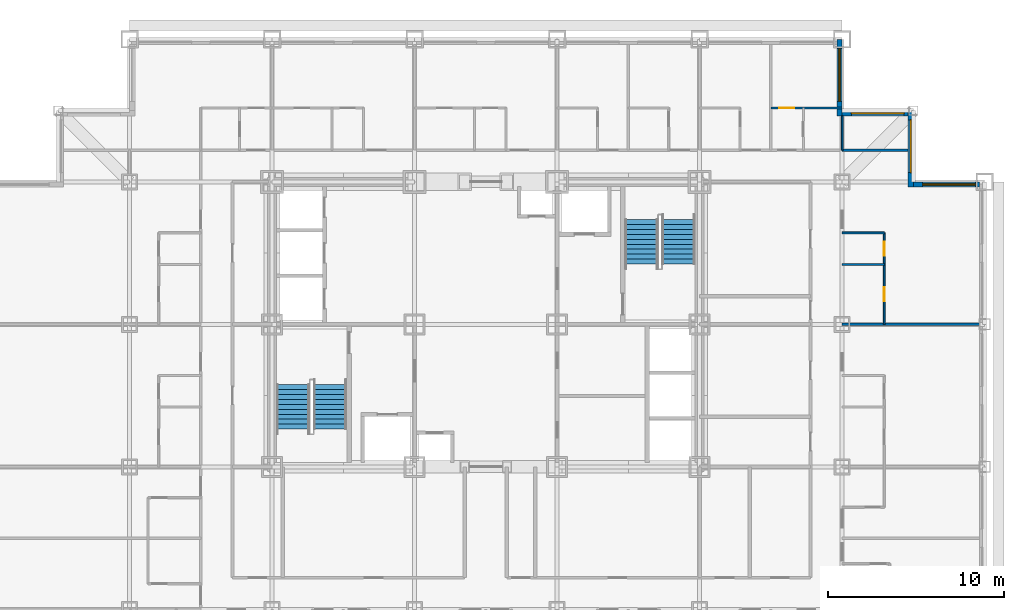
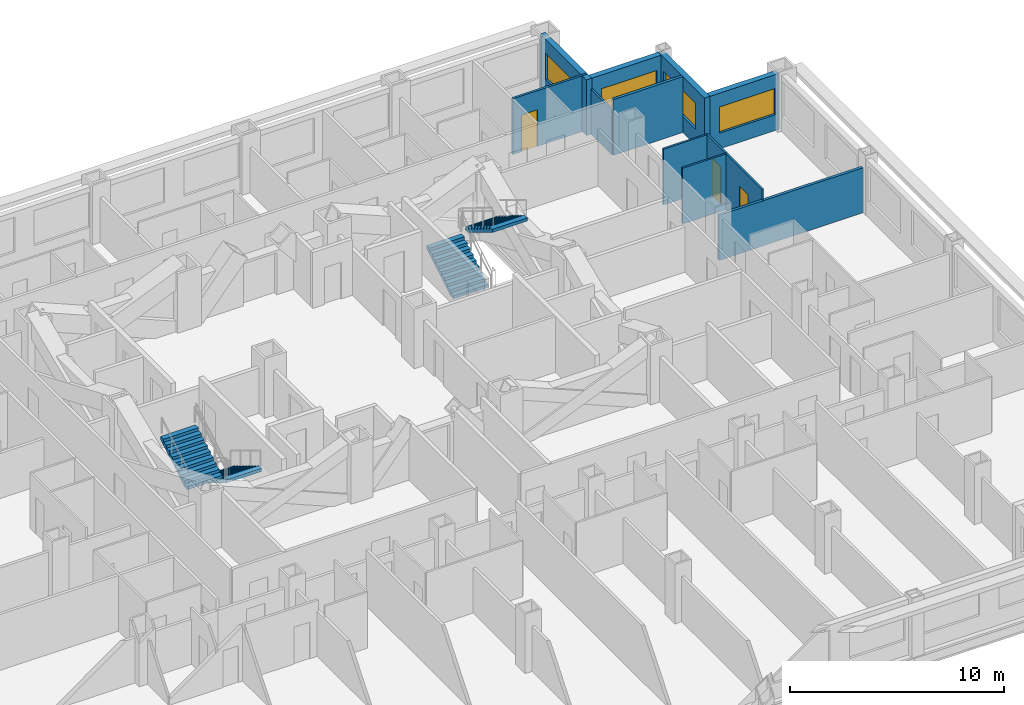
# One storey, part 10 of 11: 11 walls, 4 stair flights, 4 windows, 3 doors, 7 openings, 2 elements without a shape of their own.
"""IFC4 building model written with IfcOpenShell, lengths in metres."""

from ifc_helpers import new_model, si_unit, direction, frame, frame_2d, origin, place, context, subcontext, project, spatial, rectangle, extrude, polygons, source, transform, mapped, material, layer, layer_set, type_object, element, fill, aggregate, save


model = new_model("IFC4")

# Units and contexts
model_context = context("Model", 3, precision=1e-05, world=origin(), true_north=direction((0.0, 1.0)))
body_context = subcontext(model_context, "Body", "Model", "MODEL_VIEW")
ifc_project = project(units=[si_unit("LENGTHUNIT", "METRE"), si_unit("AREAUNIT", "SQUARE_METRE"), si_unit("VOLUMEUNIT", "CUBIC_METRE"), si_unit("PLANEANGLEUNIT", "RADIAN"), si_unit("MASSUNIT", "GRAM", prefix="KILO")], contexts=[model_context])

# Site, building, storey
site_placement = place(None, origin())
site = spatial("IfcSite", under=ifc_project, at=site_placement, CompositionType="ELEMENT")
building_placement = place(site_placement, origin())
building = spatial("IfcBuilding", under=site, at=building_placement, Name="Kopane Lantern Tower", CompositionType="ELEMENT")
storey_placement = place(building_placement, frame((0.0, 0.0, 73.800048828125)))
storey = spatial("IfcBuildingStorey", under=building, at=storey_placement, Name="L18", CompositionType="ELEMENT", Elevation=73.800048828125)

# Wall, opening, door
ifc_material_1 = material(Name="Gypsum board on steel studs", Category="steel")
ifc_layer_1 = layer(ifc_material_1, 0.1201171875)
ifc_layer_set_1 = layer_set([ifc_layer_1], Name="APARTMENT INTERNAL WALL 120")
wall_type_1 = type_object("IfcWallType", Name="APARTMENT INTERNAL WALL 120", PredefinedType="PARTITIONING", material=ifc_layer_set_1)
wall_1_placement = place(storey_placement, frame((44.550048828125, 44.699951171875, 0.0), z_axis=(0.0, 0.0, 1.0), x_axis=(1.0, 0.0, 0.0)))
wall_1 = element("IfcWall", 1, at=wall_1_placement, inside=storey, type_object=wall_type_1, Name="Apartment Internal Wall 120 L18", PredefinedType="PARTITIONING", context=body_context, shape_type="SweptSolid", body=[
    extrude(rectangle(XDim=4.050048828125, YDim=0.1201171875, at=frame_2d((2.02490234375, 0.0))), origin(), (0.0, 0.0, 1.0), 3.18994140625),
])
opening_1_placement = place(wall_1_placement, frame((0.47509765625, 0.0, 0.0)))
opening_1 = element("IfcOpeningElement", 2, at=opening_1_placement, cuts=wall_1, Name="Opening L18-069", PredefinedType="OPENING", context=body_context, shape_type="SweptSolid", body=[
    extrude(rectangle(XDim=0.85009765625, YDim=2.10009765625, at=frame_2d((0.425048828125, 1.050048828125))), frame((0.0, 0.070068359375, 0.0), z_axis=(0.0, -1.0, 0.0), x_axis=(1.0, 0.0, 0.0)), (0.0, 0.0, 1.0), 0.14013671875),
])
ifc_material_2 = material(Name="Timber door set", Category="wood")
door_type_1 = type_object("IfcDoorType", Name="DOOR D4 850x2100", OperationType="SINGLE_SWING_LEFT", PredefinedType="DOOR", material=ifc_material_2)
door_1_placement = place(opening_1_placement, origin())
door_1 = element("IfcDoor", 3, at=door_1_placement, inside=storey, type_object=door_type_1, Name="Door L18-069", OperationType="SINGLE_SWING_LEFT", OverallHeight=2.10009765625, OverallWidth=0.85009765625, PredefinedType="DOOR", context=body_context, shape_type="SweptSolid", body=[
    extrude(rectangle(XDim=0.85009765625, YDim=2.10009765625, at=frame_2d((0.425048828125, 1.050048828125))), frame((0.0, 0.02490234375, 0.0), z_axis=(0.0, -1.0, 0.0), x_axis=(1.0, 0.0, 0.0)), (0.0, 0.0, 1.0), 0.050048828125),
])
fill(opening_1, door_1)

# Wall, openings, doors
ifc_material_3 = material(Name="Moisture-resistant board on steel studs", Category="steel")
ifc_layer_2 = layer(ifc_material_3, 0.10009765625)
ifc_layer_set_2 = layer_set([ifc_layer_2], Name="BATHROOM WALL 100")
wall_type_2 = type_object("IfcWallType", Name="BATHROOM WALL 100", PredefinedType="PARTITIONING", material=ifc_layer_set_2)
wall_2_placement = place(storey_placement, frame((51.0, 32.39990234375, 0.0), z_axis=(0.0, 0.0, 1.0), x_axis=(0.0, 1.0, 0.0)))
wall_2 = element("IfcWall", 4, at=wall_2_placement, inside=storey, type_object=wall_type_2, Name="Bathroom Wall 100 L18", PredefinedType="PARTITIONING", context=body_context, shape_type="SweptSolid", body=[
    extrude(rectangle(XDim=5.2001953125, YDim=0.10009765625, at=frame_2d((2.60009765625, 0.0))), origin(), (0.0, 0.0, 1.0), 3.18994140625),
])
opening_2_placement = place(wall_2_placement, frame((1.300048828125, 0.0, 0.0)))
opening_2 = element("IfcOpeningElement", 5, at=opening_2_placement, cuts=wall_2, Name="Opening L18-056", PredefinedType="OPENING", context=body_context, shape_type="SweptSolid", body=[
    extrude(rectangle(XDim=0.800048828125, YDim=2.10009765625, at=frame_2d((0.39990234375, 1.050048828125))), frame((0.0, 0.06005859375, 0.0), z_axis=(0.0, -1.0, 0.0), x_axis=(1.0, 0.0, 0.0)), (0.0, 0.0, 1.0), 0.1201171875),
])
opening_3_placement = place(wall_2_placement, frame((3.89990234375, 0.0, 0.0)))
opening_3 = element("IfcOpeningElement", 6, at=opening_3_placement, cuts=wall_2, Name="Opening L18-057", PredefinedType="OPENING", context=body_context, shape_type="SweptSolid", body=[
    extrude(rectangle(XDim=0.800048828125, YDim=2.10009765625, at=frame_2d((0.39990234375, 1.050048828125))), frame((0.0, 0.06005859375, 0.0), z_axis=(0.0, -1.0, 0.0), x_axis=(1.0, 0.0, 0.0)), (0.0, 0.0, 1.0), 0.1201171875),
])
ifc_material_4 = material(Name="Timber door set", Category="wood")
door_type_2 = type_object("IfcDoorType", Name="DOOR D2 800x2100", OperationType="SINGLE_SWING_LEFT", PredefinedType="DOOR", material=ifc_material_4)
door_2_placement = place(opening_2_placement, origin())
door_2 = element("IfcDoor", 7, at=door_2_placement, inside=storey, type_object=door_type_2, Name="Door L18-056", OperationType="SINGLE_SWING_RIGHT", OverallHeight=2.10009765625, OverallWidth=0.800048828125, PredefinedType="DOOR", context=body_context, shape_type="SweptSolid", body=[
    extrude(rectangle(XDim=0.800048828125, YDim=2.10009765625, at=frame_2d((0.39990234375, 1.050048828125))), frame((0.0, 0.02490234375, 0.0), z_axis=(0.0, -1.0, 0.0), x_axis=(1.0, 0.0, 0.0)), (0.0, 0.0, 1.0), 0.050048828125),
])
fill(opening_2, door_2)
door_3_placement = place(opening_3_placement, origin())
door_3 = element("IfcDoor", 8, at=door_3_placement, inside=storey, type_object=door_type_2, Name="Door L18-057", OperationType="SINGLE_SWING_RIGHT", OverallHeight=2.10009765625, OverallWidth=0.800048828125, PredefinedType="DOOR", context=body_context, shape_type="SweptSolid", body=[
    extrude(rectangle(XDim=0.800048828125, YDim=2.10009765625, at=frame_2d((0.39990234375, 1.050048828125))), frame((0.0, 0.02490234375, 0.0), z_axis=(0.0, -1.0, 0.0), x_axis=(1.0, 0.0, 0.0)), (0.0, 0.0, 1.0), 0.050048828125),
])
fill(opening_3, door_3)

# Walls
for number, where, z_axis, x_axis, name in (
    (9, (48.60009765625, 35.800048828125, 0.0), (0.0, 0.0, 1.0), (1.0, 0.0, 0.0), "Bathroom Wall 100 L18"),
    (10, (48.60009765625, 37.60009765625, 0.0), (0.0, 0.0, 1.0), (1.0, 0.0, 0.0), "Bathroom Wall 100 L18"),
):
    element("IfcWall", number, at=place(storey_placement, frame(where, z_axis=z_axis, x_axis=x_axis)), inside=storey, type_object=wall_type_2, Name=name, PredefinedType="PARTITIONING", context=body_context, shape_type="SweptSolid", body=[
        extrude(rectangle(XDim=2.39990234375, YDim=0.10009765625, at=frame_2d((1.199951171875, 0.0))), origin(), (0.0, 0.0, 1.0), 3.18994140625),
    ])
wall_3_placement = place(storey_placement, frame((48.60009765625, 42.300048828125, 0.0), z_axis=(0.0, 0.0, 1.0), x_axis=(0.0, 1.0, 0.0)))
element("IfcWall", 11, at=wall_3_placement, inside=storey, type_object=wall_type_2, Name="Bathroom Wall 100 L18", PredefinedType="PARTITIONING", context=body_context, shape_type="SweptSolid", body=[
    extrude(rectangle(XDim=1.949951171875, YDim=0.10009765625, at=frame_2d((0.97509765625, 0.0))), origin(), (0.0, 0.0, 1.0), 2.57763671875),
])
ifc_material_5 = material(Name="Gypsum board on steel studs", Category="steel")
ifc_layer_3 = layer(ifc_material_5, 0.14990234375)
ifc_layer_set_3 = layer_set([ifc_layer_3], Name="DEMISING WALL 150 EI 60")
wall_type_3 = type_object("IfcWallType", Name="DEMISING WALL 150 EI 60", PredefinedType="PARTITIONING", material=ifc_layer_set_3)
wall_4_placement = place(storey_placement, frame((48.60009765625, 32.39990234375, 0.0), z_axis=(0.0, 0.0, 1.0), x_axis=(1.0, 0.0, 0.0)))
element("IfcWall", 12, at=wall_4_placement, inside=storey, type_object=wall_type_3, Name="Demising Wall 150 Ei 60 L18", PredefinedType="PARTITIONING", context=body_context, shape_type="SweptSolid", body=[
    extrude(rectangle(XDim=7.7998046875, YDim=0.14990234375, at=frame_2d((3.89990234375, 0.0))), origin(), (0.0, 0.0, 1.0), 2.57763671875),
])
wall_5_placement = place(storey_placement, frame((48.60009765625, 42.300048828125, 0.0), z_axis=(0.0, 0.0, 1.0), x_axis=(1.0, 0.0, 0.0)))
element("IfcWall", 13, at=wall_5_placement, inside=storey, type_object=wall_type_3, Name="Demising Wall 150 Ei 60 L18", PredefinedType="PARTITIONING", context=body_context, shape_type="SweptSolid", body=[
    extrude(rectangle(XDim=3.75, YDim=0.14990234375, at=frame_2d((1.875, 0.0))), origin(), (0.0, 0.0, 1.0), 3.18994140625),
])

# Wall, opening, window
ifc_material_6 = material(Name="Terracotta rainscreen on light steel framing", Category="masonry")
ifc_layer_4 = layer(ifc_material_6, 0.300048828125)
ifc_layer_set_4 = layer_set([ifc_layer_4], Name="EXTERNAL WALL EW1 300 TERRACOTTA")
wall_type_4 = type_object("IfcWallType", Name="EXTERNAL WALL EW1 300 TERRACOTTA", PredefinedType="SOLIDWALL", material=ifc_layer_set_4)
wall_6_placement = place(storey_placement, frame((56.39990234375, 40.35009765625, 0.0), z_axis=(0.0, 0.0, 1.0), x_axis=(-1.0, 0.0, 0.0)))
wall_6 = element("IfcWall", 14, at=wall_6_placement, inside=storey, type_object=wall_type_4, Name="External wall N L18", PredefinedType="SOLIDWALL", context=body_context, shape_type="SweptSolid", body=[
    extrude(rectangle(XDim=3.75, YDim=0.300048828125, at=frame_2d((1.875, 0.0))), origin(), (0.0, 0.0, 1.0), 3.18994140625),
])
opening_4_placement = place(wall_6_placement, frame((0.22509765625, 0.0, 0.89990234375)))
opening_4 = element("IfcOpeningElement", 15, at=opening_4_placement, cuts=wall_6, Name="Opening WR300150", PredefinedType="OPENING", context=body_context, shape_type="SweptSolid", body=[
    extrude(rectangle(XDim=3.0, YDim=1.5, at=frame_2d((1.5, 0.75))), frame((0.0, 0.159912109375, 0.0), z_axis=(0.0, -1.0, 0.0), x_axis=(1.0, 0.0, 0.0)), (0.0, 0.0, 1.0), 0.320068359375),
])
ifc_material_7 = material(Name="Aluminium and clear glass", Category="aluminium")
window_type = type_object("IfcWindowType", Name="RIBBON WINDOW WR300150 3000x1500", PartitioningType="SINGLE_PANEL", PredefinedType="WINDOW", material=ifc_material_7)
window_1_placement = place(opening_4_placement, origin())
window_1 = element("IfcWindow", 16, at=window_1_placement, inside=storey, type_object=window_type, Name="Window N L18", OverallHeight=1.5, OverallWidth=3.0, PartitioningType="SINGLE_PANEL", PredefinedType="WINDOW", context=body_context, shape_type="SweptSolid", body=[
    extrude(rectangle(XDim=3.0, YDim=1.5, at=frame_2d((1.5, 0.75))), frame((0.0, 0.030029296875, 0.0), z_axis=(0.0, -1.0, 0.0), x_axis=(1.0, 0.0, 0.0)), (0.0, 0.0, 1.0), 0.06005859375),
])
fill(opening_4, window_1)

wall_7_placement = place(storey_placement, frame((52.5, 40.199951171875, 0.0), z_axis=(0.0, 0.0, 1.0), x_axis=(0.0, 1.0, 0.0)))
wall_7 = element("IfcWall", 17, at=wall_7_placement, inside=storey, type_object=wall_type_4, Name="External wall E L18", PredefinedType="SOLIDWALL", context=body_context, shape_type="SweptSolid", body=[
    extrude(rectangle(XDim=4.35009765625, YDim=0.300048828125, at=frame_2d((2.175048828125, 0.0))), origin(), (0.0, 0.0, 1.0), 3.18994140625),
])
opening_5_placement = place(wall_7_placement, frame((0.824951171875, 0.0, 0.89990234375)))
opening_5 = element("IfcOpeningElement", 18, at=opening_5_placement, cuts=wall_7, Name="Opening WR300150", PredefinedType="OPENING", context=body_context, shape_type="SweptSolid", body=[
    extrude(rectangle(XDim=3.0, YDim=1.5, at=frame_2d((1.5, 0.75))), frame((0.0, 0.159912109375, 0.0), z_axis=(0.0, -1.0, 0.0), x_axis=(1.0, 0.0, 0.0)), (0.0, 0.0, 1.0), 0.320068359375),
])
window_2_placement = place(opening_5_placement, origin())
window_2 = element("IfcWindow", 19, at=window_2_placement, inside=storey, type_object=window_type, Name="Window E L18", OverallHeight=1.5, OverallWidth=3.0, PartitioningType="SINGLE_PANEL", PredefinedType="WINDOW", context=body_context, shape_type="SweptSolid", body=[
    extrude(rectangle(XDim=3.0, YDim=1.5, at=frame_2d((1.5, 0.75))), frame((0.0, 0.030029296875, 0.0), z_axis=(0.0, -1.0, 0.0), x_axis=(1.0, 0.0, 0.0)), (0.0, 0.0, 1.0), 0.06005859375),
])
fill(opening_5, window_2)

wall_8_placement = place(storey_placement, frame((52.35009765625, 44.39990234375, 0.0), z_axis=(0.0, 0.0, 1.0), x_axis=(-1.0, 0.0, 0.0)))
wall_8 = element("IfcWall", 20, at=wall_8_placement, inside=storey, type_object=wall_type_4, Name="External wall N L18", PredefinedType="SOLIDWALL", context=body_context, shape_type="SweptSolid", body=[
    extrude(rectangle(XDim=3.75, YDim=0.300048828125, at=frame_2d((1.875, 0.0))), origin(), (0.0, 0.0, 1.0), 3.18994140625),
])
opening_6_placement = place(wall_8_placement, frame((0.22509765625, 0.0, 0.89990234375)))
opening_6 = element("IfcOpeningElement", 21, at=opening_6_placement, cuts=wall_8, Name="Opening WR300150", PredefinedType="OPENING", context=body_context, shape_type="SweptSolid", body=[
    extrude(rectangle(XDim=3.0, YDim=1.5, at=frame_2d((1.5, 0.75))), frame((0.0, 0.159912109375, 0.0), z_axis=(0.0, -1.0, 0.0), x_axis=(1.0, 0.0, 0.0)), (0.0, 0.0, 1.0), 0.320068359375),
])
window_3_placement = place(opening_6_placement, origin())
window_3 = element("IfcWindow", 22, at=window_3_placement, inside=storey, type_object=window_type, Name="Window N L18", OverallHeight=1.5, OverallWidth=3.0, PartitioningType="SINGLE_PANEL", PredefinedType="WINDOW", context=body_context, shape_type="SweptSolid", body=[
    extrude(rectangle(XDim=3.0, YDim=1.5, at=frame_2d((1.5, 0.75))), frame((0.0, 0.030029296875, 0.0), z_axis=(0.0, -1.0, 0.0), x_axis=(1.0, 0.0, 0.0)), (0.0, 0.0, 1.0), 0.06005859375),
])
fill(opening_6, window_3)

wall_9_placement = place(storey_placement, frame((48.449951171875, 44.25, 0.0), z_axis=(0.0, 0.0, 1.0), x_axis=(0.0, 1.0, 0.0)))
wall_9 = element("IfcWall", 23, at=wall_9_placement, inside=storey, type_object=wall_type_4, Name="External wall E L18", PredefinedType="SOLIDWALL", context=body_context, shape_type="SweptSolid", body=[
    extrude(rectangle(XDim=4.35009765625, YDim=0.300048828125, at=frame_2d((2.175048828125, 0.0))), origin(), (0.0, 0.0, 1.0), 3.18994140625),
])
opening_7_placement = place(wall_9_placement, frame((0.824951171875, 0.0, 0.89990234375)))
opening_7 = element("IfcOpeningElement", 24, at=opening_7_placement, cuts=wall_9, Name="Opening WR300150", PredefinedType="OPENING", context=body_context, shape_type="SweptSolid", body=[
    extrude(rectangle(XDim=3.0, YDim=1.5, at=frame_2d((1.5, 0.75))), frame((0.0, 0.159912109375, 0.0), z_axis=(0.0, -1.0, 0.0), x_axis=(1.0, 0.0, 0.0)), (0.0, 0.0, 1.0), 0.320068359375),
])
window_4_placement = place(opening_7_placement, origin())
window_4 = element("IfcWindow", 25, at=window_4_placement, inside=storey, type_object=window_type, Name="Window E L18", OverallHeight=1.5, OverallWidth=3.0, PartitioningType="SINGLE_PANEL", PredefinedType="WINDOW", context=body_context, shape_type="SweptSolid", body=[
    extrude(rectangle(XDim=3.0, YDim=1.5, at=frame_2d((1.5, 0.75))), frame((0.0, 0.030029296875, 0.0), z_axis=(0.0, -1.0, 0.0), x_axis=(1.0, 0.0, 0.0)), (0.0, 0.0, 1.0), 0.06005859375),
])
fill(opening_7, window_4)

# Stair, stair flights
ifc_material_8 = material(Name="Steel S355JR", Category="steel")
stair_type = type_object("IfcStairType", Name="EXIT STAIR 1900 HALF TURN", PredefinedType="HALF_TURN_STAIR", material=ifc_material_8)
stair_1_placement = place(storey_placement, origin())
stair_1 = element("IfcStair", 26, at=stair_1_placement, inside=storey, type_object=stair_type, Name="Exit stair ST1 L18", PredefinedType="HALF_TURN_STAIR")
ifc_material_9 = material(Name="Steel S355JR", Category="steel")
stair_flight_type = type_object("IfcStairFlightType", Name="STAIR FLIGHT 1900 STEEL", PredefinedType="STRAIGHT", material=ifc_material_9)
shared_shape = source(origin(), body_context, "Body", "Tessellation", [
    polygons([(2.520019531, 0.949951172, 1.530029297), (2.239990234, 0.949951172, 1.530029297), (2.239990234, -0.949951172, 1.530029297), (2.520019531, -0.949951172, 1.530029297), (0.288818359, 0.949951172, 0.0), (2.520019531, 0.949951172, 1.354736328), (2.520019531, -0.949951172, 1.354736328), (0.288818359, -0.949951172, 0.0), (0.0, 0.949951172, 0.0), (0.0, -0.949951172, 0.0), (0.280029297, 0.949951172, 0.169921875), (0.0, 0.949951172, 0.169921875), (0.0, -0.949951172, 0.169921875), (0.280029297, -0.949951172, 0.169921875), (0.280029297, 0.949951172, 0.340087891), (0.280029297, -0.949951172, 0.340087891), (0.560058594, 0.949951172, 0.340087891), (0.560058594, -0.949951172, 0.340087891), (0.560058594, 0.949951172, 0.510009766), (0.560058594, -0.949951172, 0.510009766), (0.840087891, 0.949951172, 0.510009766), (0.840087891, -0.949951172, 0.510009766), (0.840087891, 0.949951172, 0.679931641), (0.840087891, -0.949951172, 0.679931641), (1.120117188, 0.949951172, 0.679931641), (1.120117188, -0.949951172, 0.679931641), (1.120117188, 0.949951172, 0.850097656), (1.120117188, -0.949951172, 0.850097656), (1.399902344, 0.949951172, 0.850097656), (1.399902344, -0.949951172, 0.850097656), (1.399902344, 0.949951172, 1.020019531), (1.399902344, -0.949951172, 1.020019531), (1.679931641, 0.949951172, 1.020019531), (1.679931641, -0.949951172, 1.020019531), (1.679931641, 0.949951172, 1.189941406), (1.679931641, -0.949951172, 1.189941406), (1.959960938, 0.949951172, 1.189941406), (1.959960938, -0.949951172, 1.189941406), (1.959960938, 0.949951172, 1.360107422), (1.959960938, -0.949951172, 1.360107422), (2.239990234, 0.949951172, 1.360107422), (2.239990234, -0.949951172, 1.360107422), (0.0, 0.0, 0.004592483), (0.0, 0.0, 0.009184966), (0.0, 0.0, 0.013777449), (0.0, 0.0, 0.018369932), (0.0, 0.0, 0.022962416), (0.0, 0.0, 0.027554899), (0.0, 0.0, 0.032147382), (0.0, 0.0, 0.036739865), (0.0, 0.0, 0.041332348), (0.0, 0.0, 0.045924831), (0.0, 0.0, 0.050517314), (0.0, 0.0, 0.055109797), (0.0, 0.0, 0.05970228), (0.0, 0.0, 0.064294764), (0.0, 0.0, 0.068887247), (0.0, 0.0, 0.07347973), (0.0, 0.0, 0.078072213), (0.0, 0.0, 0.082664696), (0.0, 0.0, 0.087257179), (0.0, 0.0, 0.091849662), (0.0, 0.0, 0.096442145), (0.0, 0.0, 0.101034628), (0.0, 0.0, 0.105627111), (0.0, 0.0, 0.110219595), (0.0, 0.0, 0.114812078), (0.0, 0.0, 0.119404561), (0.0, 0.0, 0.123997044), (0.0, 0.0, 0.128589527), (0.0, 0.0, 0.13318201), (0.0, 0.0, 0.137774493), (0.0, 0.0, 0.142366976), (0.0, 0.0, 0.146959459), (0.0, 0.0, 0.151551943), (0.0, 0.0, 0.156144426), (0.0, 0.0, 0.160736909), (0.0, 0.0, 0.165329392), (2.520019531, 0.0, 1.359473976), (2.520019531, 0.0, 1.364211624), (2.520019531, 0.0, 1.368949272), (2.520019531, 0.0, 1.373686919), (2.520019531, 0.0, 1.378424567), (2.520019531, 0.0, 1.383162215), (2.520019531, 0.0, 1.387899863), (2.520019531, 0.0, 1.392637511), (2.520019531, 0.0, 1.397375158), (2.520019531, 0.0, 1.402112806), (2.520019531, 0.0, 1.406850454), (2.520019531, 0.0, 1.411588102), (2.520019531, 0.0, 1.41632575), (2.520019531, 0.0, 1.421063397), (2.520019531, 0.0, 1.425801045), (2.520019531, 0.0, 1.430538693), (2.520019531, 0.0, 1.435276341), (2.520019531, 0.0, 1.440013989), (2.520019531, 0.0, 1.444751636), (2.520019531, 0.0, 1.449489284), (2.520019531, 0.0, 1.454226932), (2.520019531, 0.0, 1.45896458), (2.520019531, 0.0, 1.463702228), (2.520019531, 0.0, 1.468439875), (2.520019531, 0.0, 1.473177523), (2.520019531, 0.0, 1.477915171), (2.520019531, 0.0, 1.482652819), (2.520019531, 0.0, 1.487390467), (2.520019531, 0.0, 1.492128114), (2.520019531, 0.0, 1.496865762), (2.520019531, 0.0, 1.50160341), (2.520019531, 0.0, 1.506341058), (2.520019531, 0.0, 1.511078706), (2.520019531, 0.0, 1.515816353), (2.520019531, 0.0, 1.520554001), (2.520019531, 0.0, 1.525291649)], [[[1, 2, 3]], [[1, 3, 4]], [[5, 6, 7]], [[5, 7, 8]], [[9, 5, 8]], [[9, 8, 10]], [[11, 12, 13]], [[11, 13, 14]], [[15, 11, 14]], [[15, 14, 16]], [[17, 15, 16]], [[17, 16, 18]], [[19, 17, 18]], [[19, 18, 20]], [[21, 19, 20]], [[21, 20, 22]], [[23, 21, 22]], [[23, 22, 24]], [[25, 23, 24]], [[25, 24, 26]], [[27, 25, 26]], [[27, 26, 28]], [[29, 27, 28]], [[29, 28, 30]], [[31, 29, 30]], [[31, 30, 32]], [[33, 31, 32]], [[33, 32, 34]], [[35, 33, 34]], [[35, 34, 36]], [[37, 35, 36]], [[37, 36, 38]], [[39, 37, 38]], [[39, 38, 40]], [[41, 39, 40]], [[41, 40, 42]], [[2, 41, 42]], [[2, 42, 3]], [[41, 1, 6]], [[37, 41, 6]], [[2, 1, 41]], [[33, 37, 6]], [[39, 41, 37]], [[35, 37, 33]], [[31, 33, 29]], [[5, 21, 25]], [[27, 29, 25]], [[17, 21, 5]], [[23, 25, 21]], [[11, 17, 5]], [[19, 21, 17]], [[9, 11, 5]], [[15, 17, 11]], [[12, 11, 9]], [[6, 5, 25]], [[6, 25, 29]], [[6, 29, 33]], [[7, 4, 42]], [[7, 42, 38]], [[42, 4, 3]], [[7, 38, 34]], [[38, 42, 40]], [[34, 38, 36]], [[30, 34, 32]], [[26, 22, 8]], [[26, 30, 28]], [[8, 22, 18]], [[22, 26, 24]], [[8, 18, 14]], [[18, 22, 20]], [[8, 14, 10]], [[14, 18, 16]], [[10, 14, 13]], [[26, 8, 7]], [[30, 26, 7]], [[34, 30, 7]], [[10, 43, 9]], [[10, 44, 43]], [[9, 43, 44]], [[10, 45, 44]], [[9, 44, 45]], [[10, 46, 45]], [[9, 45, 46]], [[10, 47, 46]], [[9, 46, 47]], [[10, 48, 47]], [[9, 47, 48]], [[10, 49, 48]], [[9, 48, 49]], [[10, 50, 49]], [[9, 49, 50]], [[10, 51, 50]], [[9, 50, 51]], [[10, 52, 51]], [[9, 51, 52]], [[10, 53, 52]], [[9, 52, 53]], [[10, 54, 53]], [[9, 53, 54]], [[10, 55, 54]], [[9, 54, 55]], [[10, 56, 55]], [[9, 55, 56]], [[10, 57, 56]], [[9, 56, 57]], [[10, 58, 57]], [[9, 57, 58]], [[10, 59, 58]], [[9, 58, 59]], [[10, 60, 59]], [[9, 59, 60]], [[10, 61, 60]], [[9, 60, 61]], [[10, 62, 61]], [[9, 61, 62]], [[10, 63, 62]], [[9, 62, 63]], [[10, 64, 63]], [[9, 63, 64]], [[10, 65, 64]], [[9, 64, 65]], [[10, 66, 65]], [[9, 65, 66]], [[10, 67, 66]], [[9, 66, 67]], [[10, 68, 67]], [[9, 67, 68]], [[10, 69, 68]], [[9, 68, 69]], [[10, 70, 69]], [[9, 69, 70]], [[10, 71, 70]], [[9, 70, 71]], [[10, 72, 71]], [[9, 71, 72]], [[10, 73, 72]], [[9, 72, 73]], [[10, 74, 73]], [[9, 73, 74]], [[10, 75, 74]], [[9, 74, 75]], [[10, 76, 75]], [[9, 75, 76]], [[10, 77, 76]], [[9, 76, 77]], [[10, 78, 77]], [[9, 77, 78]], [[10, 13, 78]], [[78, 13, 12]], [[9, 78, 12]], [[7, 6, 79]], [[7, 79, 80]], [[6, 80, 79]], [[7, 80, 81]], [[6, 81, 80]], [[7, 81, 82]], [[6, 82, 81]], [[7, 82, 83]], [[6, 83, 82]], [[7, 83, 84]], [[6, 84, 83]], [[7, 84, 85]], [[6, 85, 84]], [[7, 85, 86]], [[6, 86, 85]], [[7, 86, 87]], [[6, 87, 86]], [[7, 87, 88]], [[6, 88, 87]], [[7, 88, 89]], [[6, 89, 88]], [[7, 89, 90]], [[6, 90, 89]], [[7, 90, 91]], [[6, 91, 90]], [[7, 91, 92]], [[6, 92, 91]], [[7, 92, 93]], [[6, 93, 92]], [[7, 93, 94]], [[6, 94, 93]], [[7, 94, 95]], [[6, 95, 94]], [[7, 95, 96]], [[6, 96, 95]], [[7, 96, 97]], [[6, 97, 96]], [[7, 97, 98]], [[6, 98, 97]], [[7, 98, 99]], [[6, 99, 98]], [[7, 99, 100]], [[6, 100, 99]], [[7, 100, 101]], [[6, 101, 100]], [[7, 101, 102]], [[6, 102, 101]], [[7, 102, 103]], [[6, 103, 102]], [[7, 103, 104]], [[6, 104, 103]], [[7, 104, 105]], [[6, 105, 104]], [[7, 105, 106]], [[6, 106, 105]], [[7, 106, 107]], [[6, 107, 106]], [[7, 107, 108]], [[6, 108, 107]], [[7, 108, 109]], [[6, 109, 108]], [[7, 109, 110]], [[6, 110, 109]], [[7, 110, 111]], [[6, 111, 110]], [[7, 111, 112]], [[6, 112, 111]], [[7, 112, 113]], [[6, 113, 112]], [[7, 113, 114]], [[6, 114, 113]], [[7, 114, 4]], [[114, 1, 4]], [[6, 1, 114]]], closed=True),
])
stair_flight_1_placement = place(storey_placement, frame((19.5, 28.969970703125, 0.0), z_axis=(0.0, 0.0, 1.0), x_axis=(0.0, -1.0, 0.0)))
stair_flight_1 = element("IfcStairFlight", 27, at=stair_flight_1_placement, type_object=stair_flight_type, Name="ST1 flight 1", NumberOfRisers=10, NumberOfTreads=9, PredefinedType="STRAIGHT", RiserHeight=0.17, TreadLength=0.28, context=body_context, shape_type="MappedRepresentation", body=[
    mapped(shared_shape, transform((0.0, 0.0, 0.0))),
])
stair_flight_2_placement = place(storey_placement, frame((17.39990234375, 26.449951171875, 1.699951171875), z_axis=(0.0, 0.0, 1.0), x_axis=(0.0, 1.0, 0.0)))
stair_flight_2 = element("IfcStairFlight", 28, at=stair_flight_2_placement, type_object=stair_flight_type, Name="ST1 flight 2", NumberOfRisers=10, NumberOfTreads=9, PredefinedType="STRAIGHT", RiserHeight=0.17, TreadLength=0.28, context=body_context, shape_type="MappedRepresentation", body=[
    mapped(shared_shape, transform((0.0, 0.0, 0.0))),
])
aggregate(stair_1, [stair_flight_1, stair_flight_2])

stair_2_placement = place(storey_placement, origin())
stair_2 = element("IfcStair", 29, at=stair_2_placement, inside=storey, type_object=stair_type, Name="Exit stair ST2 L18", PredefinedType="HALF_TURN_STAIR")
stair_flight_3_placement = place(storey_placement, frame((37.199951171875, 35.830078125, 0.0), z_axis=(0.0, 0.0, 1.0), x_axis=(0.0, 1.0, 0.0)))
stair_flight_3 = element("IfcStairFlight", 30, at=stair_flight_3_placement, type_object=stair_flight_type, Name="ST2 flight 1", NumberOfRisers=10, NumberOfTreads=9, PredefinedType="STRAIGHT", RiserHeight=0.17, TreadLength=0.28, context=body_context, shape_type="MappedRepresentation", body=[
    mapped(shared_shape, transform((0.0, 0.0, 0.0))),
])
stair_flight_4_placement = place(storey_placement, frame((39.300048828125, 38.35009765625, 1.699951171875), z_axis=(0.0, 0.0, 1.0), x_axis=(0.0, -1.0, 0.0)))
stair_flight_4 = element("IfcStairFlight", 31, at=stair_flight_4_placement, type_object=stair_flight_type, Name="ST2 flight 2", NumberOfRisers=10, NumberOfTreads=9, PredefinedType="STRAIGHT", RiserHeight=0.17, TreadLength=0.28, context=body_context, shape_type="MappedRepresentation", body=[
    mapped(shared_shape, transform((0.0, 0.0, 0.0))),
])
aggregate(stair_2, [stair_flight_3, stair_flight_4])

save(model, "model.ifc")
